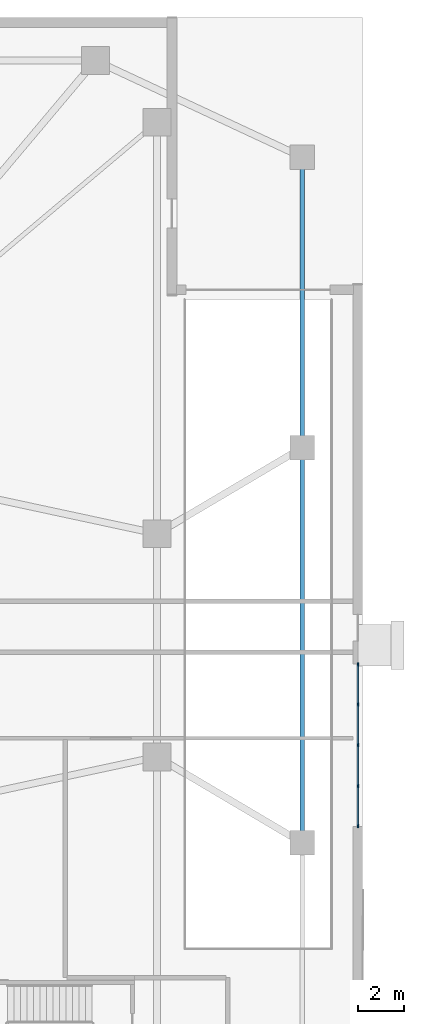
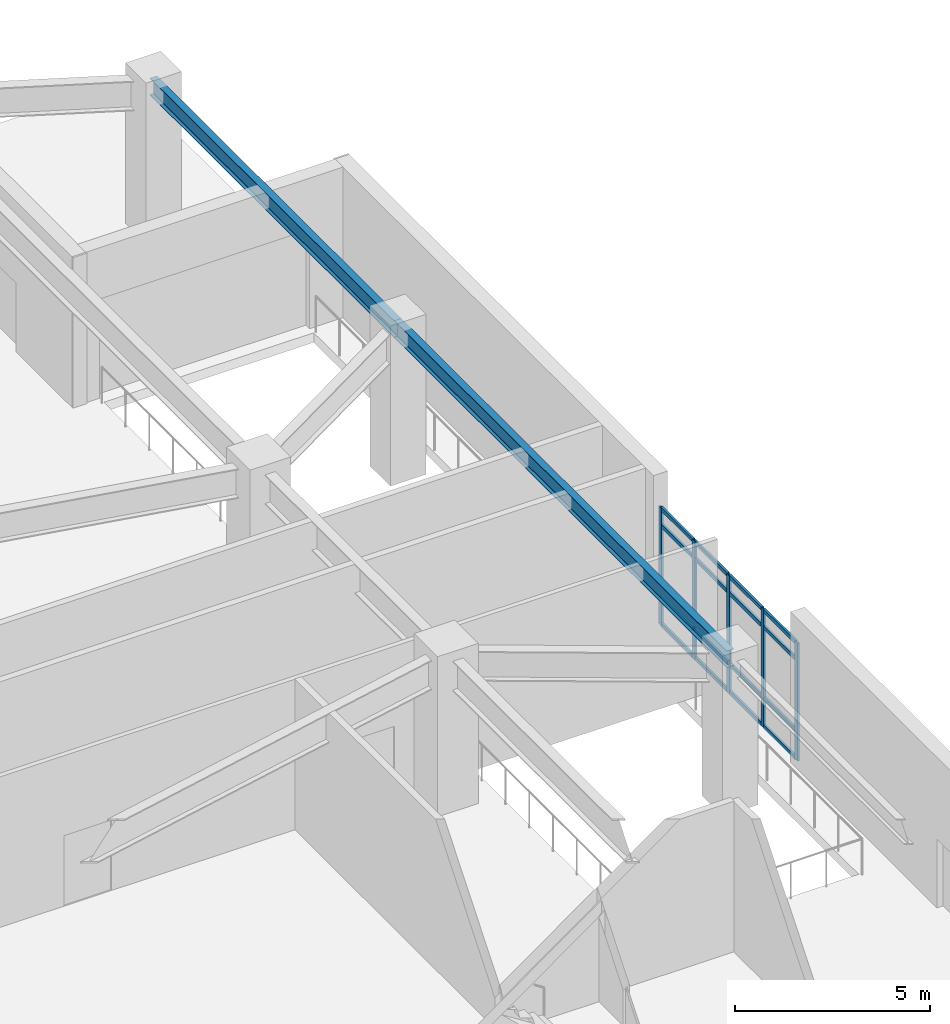
# One storey, part 5 of 21: 21 members, 2 beams, 1 element without a shape of its own.
"""IFC4 building model written with IfcOpenShell, lengths in metres."""

from ifc_helpers import new_model, si_unit, direction, frame, origin, origin_2d, place, context, subcontext, project, spatial, rectangle, i_section, extrude, material, layer, layer_set, material_profile, profile_set, type_object, element, aggregate, save


model = new_model("IFC4")

# Units and contexts
model_context = context("Model", 3, precision=1e-05, world=origin(), true_north=direction((0.0, 1.0)))
body_context = subcontext(model_context, "Body", "Model", "MODEL_VIEW")
ifc_project = project(units=[si_unit("LENGTHUNIT", "METRE"), si_unit("AREAUNIT", "SQUARE_METRE"), si_unit("VOLUMEUNIT", "CUBIC_METRE"), si_unit("PLANEANGLEUNIT", "RADIAN"), si_unit("MASSUNIT", "GRAM", prefix="KILO")], contexts=[model_context])

# Site, building, storey
site_placement = place(None, origin())
site = spatial("IfcSite", under=ifc_project, at=site_placement, CompositionType="ELEMENT")
building_placement = place(site_placement, origin())
building = spatial("IfcBuilding", under=site, at=building_placement, Name="Cairnveth Concourse Tower", CompositionType="ELEMENT")
storey_placement = place(building_placement, origin())
storey = spatial("IfcBuildingStorey", under=building, at=storey_placement, Name="L00", CompositionType="ELEMENT", Elevation=0.0)

# Curtain wall, members
ifc_material_1 = material(Name="Architectural Bronze Anodised Aluminium 6063-T6", Category="aluminium")
ifc_layer = layer(ifc_material_1, 0.340087890625)
ifc_layer_set = layer_set([ifc_layer], Name="Architectural Bronze Anodised Aluminium 6063-T6")
curtain_wall_type = type_object("IfcCurtainWallType", Name="PODIUM RETAIL SHOPFRONT CURTAIN WALL", PredefinedType="USERDEFINED", material=ifc_layer_set)
curtain_wall_placement = place(storey_placement, origin())
curtain_wall = element("IfcCurtainWall", 1, at=curtain_wall_placement, inside=storey, type_object=curtain_wall_type, Name="Curtain Wall CW-L00-E-SHOP1", ObjectType="SHOPFRONT GLAZING", PredefinedType="USERDEFINED")
ifc_material_profile_1 = material_profile(ifc_material_1, rectangle(XDim=0.06494140625, YDim=0.14990234375, at=origin_2d()), Name="AL-MUL-65x150")
ifc_profile_set_1 = profile_set([ifc_material_profile_1], Name="Architectural Bronze Anodised Aluminium 6063-T6")
member_type_1 = type_object("IfcMemberType", Name="BRONZE CURTAIN WALL MULLION AL-MUL-65x150", PredefinedType="MULLION", material=ifc_profile_set_1)
member_1_placement = place(storey_placement, frame((85.7900390625, 38.1826171875, 0.0), z_axis=(0.0, 0.0, 1.0), x_axis=(1.0, 0.0, 0.0)))
member_1 = element("IfcMember", 2, at=member_1_placement, type_object=member_type_1, Name="CWS2 mullion 1", PredefinedType="MULLION", context=body_context, shape_type="SweptSolid", body=[
    extrude(rectangle(XDim=0.06494140625, YDim=0.14990234375, at=origin_2d()), origin(), (0.0, 0.0, 1.0), 3.676025390625),
])
member_2_placement = place(storey_placement, frame((85.7900390625, 36.45751953125, 0.0), z_axis=(0.0, 0.0, 1.0), x_axis=(1.0, 0.0, 0.0)))
member_2 = element("IfcMember", 3, at=member_2_placement, type_object=member_type_1, Name="CWS2 mullion 2", PredefinedType="MULLION", context=body_context, shape_type="SweptSolid", body=[
    extrude(rectangle(XDim=0.06494140625, YDim=0.14990234375, at=origin_2d()), origin(), (0.0, 0.0, 1.0), 3.676025390625),
])
member_3_placement = place(storey_placement, frame((85.7900390625, 34.699951171875, 0.0), z_axis=(0.0, 0.0, 1.0), x_axis=(1.0, 0.0, 0.0)))
member_3 = element("IfcMember", 4, at=member_3_placement, type_object=member_type_1, Name="CWS2 mullion 3", PredefinedType="MULLION", context=body_context, shape_type="SweptSolid", body=[
    extrude(rectangle(XDim=0.06494140625, YDim=0.14990234375, at=origin_2d()), origin(), (0.0, 0.0, 1.0), 3.676025390625),
])
member_4_placement = place(storey_placement, frame((85.7900390625, 32.9423828125, 0.0), z_axis=(0.0, 0.0, 1.0), x_axis=(1.0, 0.0, 0.0)))
member_4 = element("IfcMember", 5, at=member_4_placement, type_object=member_type_1, Name="CWS2 mullion 4", PredefinedType="MULLION", context=body_context, shape_type="SweptSolid", body=[
    extrude(rectangle(XDim=0.06494140625, YDim=0.14990234375, at=origin_2d()), origin(), (0.0, 0.0, 1.0), 3.676025390625),
])
member_5_placement = place(storey_placement, frame((85.7900390625, 31.217529296875, 0.0), z_axis=(0.0, 0.0, 1.0), x_axis=(1.0, 0.0, 0.0)))
member_5 = element("IfcMember", 6, at=member_5_placement, type_object=member_type_1, Name="CWS2 mullion 5", PredefinedType="MULLION", context=body_context, shape_type="SweptSolid", body=[
    extrude(rectangle(XDim=0.06494140625, YDim=0.14990234375, at=origin_2d()), origin(), (0.0, 0.0, 1.0), 3.676025390625),
])
ifc_material_profile_2 = material_profile(ifc_material_1, rectangle(XDim=0.06494140625, YDim=0.1201171875, at=origin_2d()), Name="AL-TRN-65x120")
ifc_profile_set_2 = profile_set([ifc_material_profile_2], Name="Architectural Bronze Anodised Aluminium 6063-T6")
member_type_2 = type_object("IfcMemberType", Name="BRONZE CURTAIN WALL TRANSOM AL-TRN-65x120", PredefinedType="USERDEFINED", material=ifc_profile_set_2)
member_6_placement = place(storey_placement, frame((85.7900390625, 38.14990234375, 0.032470703125), z_axis=(0.0, -1.0, 0.0), x_axis=(1.0, 0.0, 0.0)))
member_6 = element("IfcMember", 7, at=member_6_placement, type_object=member_type_2, Name="CWS2 transom 1.1", ObjectType="TRANSOM", PredefinedType="USERDEFINED", context=body_context, shape_type="SweptSolid", body=[
    extrude(rectangle(XDim=0.06494140625, YDim=0.1201171875, at=origin_2d()), origin(), (0.0, 0.0, 1.0), 1.659912109375),
])
member_7_placement = place(storey_placement, frame((85.7900390625, 38.14990234375, 0.89990234375), z_axis=(0.0, -1.0, 0.0), x_axis=(1.0, 0.0, 0.0)))
member_7 = element("IfcMember", 8, at=member_7_placement, type_object=member_type_2, Name="CWS2 transom 1.2", ObjectType="TRANSOM", PredefinedType="USERDEFINED", context=body_context, shape_type="SweptSolid", body=[
    extrude(rectangle(XDim=0.06494140625, YDim=0.1201171875, at=origin_2d()), origin(), (0.0, 0.0, 1.0), 1.659912109375),
])
member_8_placement = place(storey_placement, frame((85.7900390625, 38.14990234375, 3.1259765625), z_axis=(0.0, -1.0, 0.0), x_axis=(1.0, 0.0, 0.0)))
member_8 = element("IfcMember", 9, at=member_8_placement, type_object=member_type_2, Name="CWS2 transom 1.3", ObjectType="TRANSOM", PredefinedType="USERDEFINED", context=body_context, shape_type="SweptSolid", body=[
    extrude(rectangle(XDim=0.06494140625, YDim=0.1201171875, at=origin_2d()), origin(), (0.0, 0.0, 1.0), 1.659912109375),
])
member_9_placement = place(storey_placement, frame((85.7900390625, 38.14990234375, 3.6435546875), z_axis=(0.0, -1.0, 0.0), x_axis=(1.0, 0.0, 0.0)))
member_9 = element("IfcMember", 10, at=member_9_placement, type_object=member_type_2, Name="CWS2 transom 1.4", ObjectType="TRANSOM", PredefinedType="USERDEFINED", context=body_context, shape_type="SweptSolid", body=[
    extrude(rectangle(XDim=0.06494140625, YDim=0.1201171875, at=origin_2d()), origin(), (0.0, 0.0, 1.0), 1.659912109375),
])
member_10_placement = place(storey_placement, frame((85.7900390625, 36.425048828125, 0.032470703125), z_axis=(0.0, -1.0, 0.0), x_axis=(1.0, 0.0, 0.0)))
member_10 = element("IfcMember", 11, at=member_10_placement, type_object=member_type_2, Name="CWS2 transom 2.1", ObjectType="TRANSOM", PredefinedType="USERDEFINED", context=body_context, shape_type="SweptSolid", body=[
    extrude(rectangle(XDim=0.06494140625, YDim=0.1201171875, at=origin_2d()), origin(), (0.0, 0.0, 1.0), 1.692626953125),
])
member_11_placement = place(storey_placement, frame((85.7900390625, 36.425048828125, 0.89990234375), z_axis=(0.0, -1.0, 0.0), x_axis=(1.0, 0.0, 0.0)))
member_11 = element("IfcMember", 12, at=member_11_placement, type_object=member_type_2, Name="CWS2 transom 2.2", ObjectType="TRANSOM", PredefinedType="USERDEFINED", context=body_context, shape_type="SweptSolid", body=[
    extrude(rectangle(XDim=0.06494140625, YDim=0.1201171875, at=origin_2d()), origin(), (0.0, 0.0, 1.0), 1.692626953125),
])
member_12_placement = place(storey_placement, frame((85.7900390625, 36.425048828125, 3.1259765625), z_axis=(0.0, -1.0, 0.0), x_axis=(1.0, 0.0, 0.0)))
member_12 = element("IfcMember", 13, at=member_12_placement, type_object=member_type_2, Name="CWS2 transom 2.3", ObjectType="TRANSOM", PredefinedType="USERDEFINED", context=body_context, shape_type="SweptSolid", body=[
    extrude(rectangle(XDim=0.06494140625, YDim=0.1201171875, at=origin_2d()), origin(), (0.0, 0.0, 1.0), 1.692626953125),
])
member_13_placement = place(storey_placement, frame((85.7900390625, 36.425048828125, 3.6435546875), z_axis=(0.0, -1.0, 0.0), x_axis=(1.0, 0.0, 0.0)))
member_13 = element("IfcMember", 14, at=member_13_placement, type_object=member_type_2, Name="CWS2 transom 2.4", ObjectType="TRANSOM", PredefinedType="USERDEFINED", context=body_context, shape_type="SweptSolid", body=[
    extrude(rectangle(XDim=0.06494140625, YDim=0.1201171875, at=origin_2d()), origin(), (0.0, 0.0, 1.0), 1.692626953125),
])
member_14_placement = place(storey_placement, frame((85.7900390625, 34.66748046875, 0.032470703125), z_axis=(0.0, -1.0, 0.0), x_axis=(1.0, 0.0, 0.0)))
member_14 = element("IfcMember", 15, at=member_14_placement, type_object=member_type_2, Name="CWS2 transom 3.1", ObjectType="TRANSOM", PredefinedType="USERDEFINED", context=body_context, shape_type="SweptSolid", body=[
    extrude(rectangle(XDim=0.06494140625, YDim=0.1201171875, at=origin_2d()), origin(), (0.0, 0.0, 1.0), 1.6923828125),
])
member_15_placement = place(storey_placement, frame((85.7900390625, 34.66748046875, 0.89990234375), z_axis=(0.0, -1.0, 0.0), x_axis=(1.0, 0.0, 0.0)))
member_15 = element("IfcMember", 16, at=member_15_placement, type_object=member_type_2, Name="CWS2 transom 3.2", ObjectType="TRANSOM", PredefinedType="USERDEFINED", context=body_context, shape_type="SweptSolid", body=[
    extrude(rectangle(XDim=0.06494140625, YDim=0.1201171875, at=origin_2d()), origin(), (0.0, 0.0, 1.0), 1.6923828125),
])
member_16_placement = place(storey_placement, frame((85.7900390625, 34.66748046875, 3.1259765625), z_axis=(0.0, -1.0, 0.0), x_axis=(1.0, 0.0, 0.0)))
member_16 = element("IfcMember", 17, at=member_16_placement, type_object=member_type_2, Name="CWS2 transom 3.3", ObjectType="TRANSOM", PredefinedType="USERDEFINED", context=body_context, shape_type="SweptSolid", body=[
    extrude(rectangle(XDim=0.06494140625, YDim=0.1201171875, at=origin_2d()), origin(), (0.0, 0.0, 1.0), 1.6923828125),
])
member_17_placement = place(storey_placement, frame((85.7900390625, 34.66748046875, 3.6435546875), z_axis=(0.0, -1.0, 0.0), x_axis=(1.0, 0.0, 0.0)))
member_17 = element("IfcMember", 18, at=member_17_placement, type_object=member_type_2, Name="CWS2 transom 3.4", ObjectType="TRANSOM", PredefinedType="USERDEFINED", context=body_context, shape_type="SweptSolid", body=[
    extrude(rectangle(XDim=0.06494140625, YDim=0.1201171875, at=origin_2d()), origin(), (0.0, 0.0, 1.0), 1.6923828125),
])
member_18_placement = place(storey_placement, frame((85.7900390625, 32.909912109375, 0.032470703125), z_axis=(0.0, -1.0, 0.0), x_axis=(1.0, 0.0, 0.0)))
member_18 = element("IfcMember", 19, at=member_18_placement, type_object=member_type_2, Name="CWS2 transom 4.1", ObjectType="TRANSOM", PredefinedType="USERDEFINED", context=body_context, shape_type="SweptSolid", body=[
    extrude(rectangle(XDim=0.06494140625, YDim=0.1201171875, at=origin_2d()), origin(), (0.0, 0.0, 1.0), 1.659912109375),
])
member_19_placement = place(storey_placement, frame((85.7900390625, 32.909912109375, 0.89990234375), z_axis=(0.0, -1.0, 0.0), x_axis=(1.0, 0.0, 0.0)))
member_19 = element("IfcMember", 20, at=member_19_placement, type_object=member_type_2, Name="CWS2 transom 4.2", ObjectType="TRANSOM", PredefinedType="USERDEFINED", context=body_context, shape_type="SweptSolid", body=[
    extrude(rectangle(XDim=0.06494140625, YDim=0.1201171875, at=origin_2d()), origin(), (0.0, 0.0, 1.0), 1.659912109375),
])
member_20_placement = place(storey_placement, frame((85.7900390625, 32.909912109375, 3.1259765625), z_axis=(0.0, -1.0, 0.0), x_axis=(1.0, 0.0, 0.0)))
member_20 = element("IfcMember", 21, at=member_20_placement, type_object=member_type_2, Name="CWS2 transom 4.3", ObjectType="TRANSOM", PredefinedType="USERDEFINED", context=body_context, shape_type="SweptSolid", body=[
    extrude(rectangle(XDim=0.06494140625, YDim=0.1201171875, at=origin_2d()), origin(), (0.0, 0.0, 1.0), 1.659912109375),
])
member_21_placement = place(storey_placement, frame((85.7900390625, 32.909912109375, 3.6435546875), z_axis=(0.0, -1.0, 0.0), x_axis=(1.0, 0.0, 0.0)))
member_21 = element("IfcMember", 22, at=member_21_placement, type_object=member_type_2, Name="CWS2 transom 4.4", ObjectType="TRANSOM", PredefinedType="USERDEFINED", context=body_context, shape_type="SweptSolid", body=[
    extrude(rectangle(XDim=0.06494140625, YDim=0.1201171875, at=origin_2d()), origin(), (0.0, 0.0, 1.0), 1.659912109375),
])
aggregate(curtain_wall, [member_1, member_2, member_3, member_4, member_5, member_6, member_7, member_8, member_9, member_10, member_11, member_12, member_13, member_14, member_15, member_16, member_17, member_18, member_19, member_20, member_21])

# Beams
ifc_material_2 = material(Name="Steel Grade 350", Category="steel")
ifc_material_profile_3 = material_profile(ifc_material_2, i_section(OverallWidth=0.208984375, OverallDepth=0.532958984375, WebThickness=0.01025390625, FlangeThickness=0.015625, FilletRadius=0.013916015625, at=origin_2d()), Name="530UB92.4")
ifc_profile_set_3 = profile_set([ifc_material_profile_3], Name="Steel Grade 350")
beam_type = type_object("IfcBeamType", Name="PODIUM EDGE SPANDREL 530UB92.4", PredefinedType="SPANDREL", material=ifc_profile_set_3)
beam_1_placement = place(storey_placement, frame((83.39990234375, 30.5, 4.43359375), z_axis=(0.0, 1.0, 0.0), x_axis=(-1.0, 0.0, 0.0)))
element("IfcBeam", 23, at=beam_1_placement, inside=storey, type_object=beam_type, Name="Beam PSP-E2 L00", PredefinedType="SPANDREL", context=body_context, shape_type="SweptSolid", body=[
    extrude(i_section(OverallWidth=0.208984375, OverallDepth=0.532958984375, WebThickness=0.01025390625, FlangeThickness=0.015625, FilletRadius=0.013916015625, at=origin_2d()), origin(), (0.0, 0.0, 1.0), 17.0),
])
beam_2_placement = place(storey_placement, frame((83.39990234375, 47.5, 4.43359375), z_axis=(0.0, 1.0, 0.0), x_axis=(-1.0, 0.0, 0.0)))
element("IfcBeam", 24, at=beam_2_placement, inside=storey, type_object=beam_type, Name="Beam PSP-E3 L00", PredefinedType="SPANDREL", context=body_context, shape_type="SweptSolid", body=[
    extrude(i_section(OverallWidth=0.208984375, OverallDepth=0.532958984375, WebThickness=0.01025390625, FlangeThickness=0.015625, FilletRadius=0.013916015625, at=origin_2d()), origin(), (0.0, 0.0, 1.0), 12.5),
])

save(model, "model.ifc")
